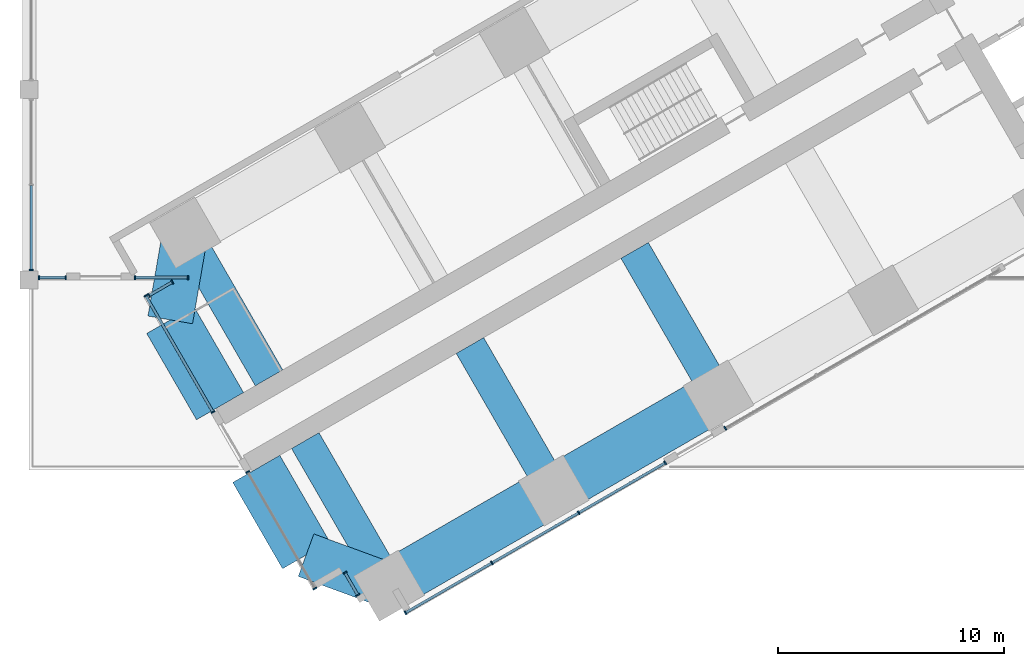
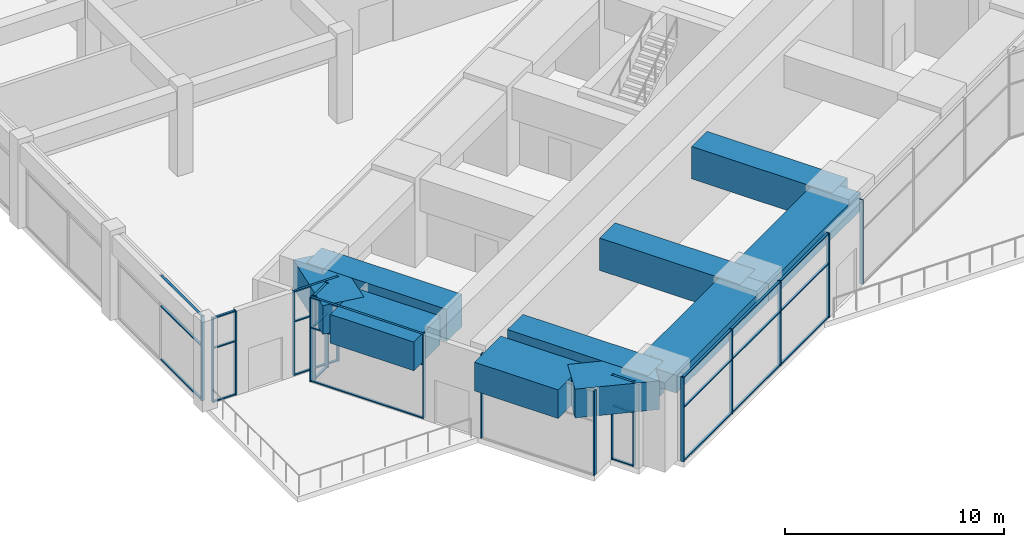
# One storey, part 2 of 34: 45 members, 10 beams, 9 elements without a shape of their own.
"""IFC4 building model written with IfcOpenShell, lengths in metres."""

from ifc_helpers import new_model, si_unit, direction, frame, origin, origin_2d, place, context, subcontext, project, spatial, rectangle, extrude, material, material_profile, profile_set, type_object, element, aggregate, save


model = new_model("IFC4")

# Units and contexts
model_context = context("Model", 3, precision=1e-05, world=origin(), true_north=direction((0.0, 1.0)))
body_context = subcontext(model_context, "Body", "Model", "MODEL_VIEW")
ifc_project = project(units=[si_unit("LENGTHUNIT", "METRE"), si_unit("AREAUNIT", "SQUARE_METRE"), si_unit("VOLUMEUNIT", "CUBIC_METRE"), si_unit("PLANEANGLEUNIT", "RADIAN"), si_unit("MASSUNIT", "GRAM", prefix="KILO")], contexts=[model_context])

# Site, building, storey
site_placement = place(None, origin())
site = spatial("IfcSite", under=ifc_project, at=site_placement, CompositionType="ELEMENT")
building_placement = place(site_placement, origin())
building = spatial("IfcBuilding", under=site, at=building_placement, Name="Impinga Residences", CompositionType="ELEMENT")
storey_placement = place(building_placement, frame((0.0, 0.0, 16.0)))
storey = spatial("IfcBuildingStorey", under=building, at=storey_placement, Name="L03", CompositionType="ELEMENT", Elevation=16.0)

# Beams
ifc_material_1 = material(Name="Concrete C60/75", Category="concrete")
ifc_material_profile_1 = material_profile(ifc_material_1, rectangle(XDim=2.0, YDim=1.60009765625, at=origin_2d()), Name="RC 2000x1600")
ifc_profile_set_1 = profile_set([ifc_material_profile_1], Name="Concrete C60/75")
beam_type_1 = type_object("IfcBeamType", Name="CB2 2000x1600 wing end cantilever beam", PredefinedType="BEAM", material=ifc_profile_set_1)
beam_1_placement = place(storey_placement, frame((-34.49853515625, -30.31005859375, 3.89990234375), z_axis=(-0.938520178725, 0.345224382289, 0.0), x_axis=(-0.345224382289, -0.938520178725, 0.0)))
element("IfcBeam", 1, at=beam_1_placement, inside=storey, type_object=beam_type_1, Name="Beam CB2 WB W5-WX level L04", PredefinedType="BEAM", context=body_context, shape_type="SweptSolid", body=[
    extrude(rectangle(XDim=2.0, YDim=1.60009765625, at=origin_2d()), origin(), (0.0, 0.0, 1.0), 3.905029296875),
])
beam_2_placement = place(storey_placement, frame((-43.49853515625, -14.721435546875, 3.89990234375), z_axis=(-0.170296298948, -0.985392901621, 0.0), x_axis=(0.985392901621, -0.170296298948, 0.0)))
element("IfcBeam", 2, at=beam_2_placement, inside=storey, type_object=beam_type_1, Name="Beam CB2 WE W5-WX level L04", PredefinedType="BEAM", context=body_context, shape_type="SweptSolid", body=[
    extrude(rectangle(XDim=2.0, YDim=1.60009765625, at=origin_2d()), origin(), (0.0, 0.0, 1.0), 3.9052734375),
])
ifc_material_profile_2 = material_profile(ifc_material_1, rectangle(XDim=1.39990234375, YDim=1.800048828125, at=origin_2d()), Name="RC 1400x1800")
ifc_profile_set_2 = profile_set([ifc_material_profile_2], Name="Concrete C60/75")
beam_type_2 = type_object("IfcBeamType", Name="CG4 1400x1800 cross girder on a wing bay line under the podium floors", PredefinedType="BEAM", material=ifc_profile_set_2)
beam_3_placement = place(storey_placement, frame((-23.649169921875, -15.50146484375, 3.800048828125), z_axis=(0.500003285667, -0.866023506795, 0.0), x_axis=(0.866023506795, 0.500003285667, 0.0)))
element("IfcBeam", 3, at=beam_3_placement, inside=storey, type_object=beam_type_2, Name="Beam CG4 W3 WC/WA level L04", PredefinedType="BEAM", context=body_context, shape_type="SweptSolid", body=[
    extrude(rectangle(XDim=1.39990234375, YDim=1.800048828125, at=origin_2d()), origin(), (0.0, 0.0, 1.0), 7.39990234375),
])
for number, where, z_axis, x_axis, name in (
    (4, (-30.923828125, -19.701416015625, 3.800048828125), (0.499988999718, -0.866031754707, 0.0), (0.866031754707, 0.499988999718, 0.0), "Beam CG4 W4 WC/WA level L04"),
    (5, (-38.198486328125, -23.9013671875, 3.800048828125), (0.499988999718, -0.866031754707, 0.0), (0.866031754707, 0.499988999718, 0.0), "Beam CG4 W5 WC/WA level L04"),
    (6, (-39.79833984375, -21.130126953125, 3.800048828125), (-0.500013743233, 0.86601746898, 0.0), (-0.86601746898, -0.500013743233, 0.0), "Beam CG4 W5 WC/WF level L04"),
):
    element("IfcBeam", number, at=place(storey_placement, frame(where, z_axis=z_axis, x_axis=x_axis)), inside=storey, type_object=beam_type_2, Name=name, PredefinedType="BEAM", context=body_context, shape_type="SweptSolid", body=[
        extrude(rectangle(XDim=1.39990234375, YDim=1.800048828125, at=origin_2d()), origin(), (0.0, 0.0, 1.0), 7.400146484375),
    ])

# Curtain wall, members
ifc_material_2 = material(Name="Aluminium stick curtain wall", Category="aluminium")
curtain_wall_type = type_object("IfcCurtainWallType", Name="CW1 podium amenity curtain wall", PredefinedType="USERDEFINED", material=ifc_material_2)
curtain_wall_1_placement = place(storey_placement, origin())
curtain_wall_1 = element("IfcCurtainWall", 7, at=curtain_wall_1_placement, inside=storey, type_object=curtain_wall_type, Name="Curtain wall CW1 L03", ObjectType="STICK CURTAIN WALL", PredefinedType="USERDEFINED")
ifc_material_3 = material(Name="Aluminium mullion", Category="aluminium")
ifc_material_profile_3 = material_profile(ifc_material_3, rectangle(XDim=0.06005859375, YDim=0.179931640625, at=origin_2d()), Name="60x180 mullion")
ifc_profile_set_3 = profile_set([ifc_material_profile_3], Name="Aluminium mullion")
member_type_1 = type_object("IfcMemberType", Name="CW1-M mullion 60x180", PredefinedType="MULLION", material=ifc_profile_set_3)
member_1_placement = place(storey_placement, frame((-35.8759765625, -30.72412109375, 0.0), z_axis=(0.0, 0.0, 1.0), x_axis=(-0.499999813995, 0.866025511175, 0.0)))
member_1 = element("IfcMember", 8, at=member_1_placement, type_object=member_type_1, Name="CW1 mullion 1", PredefinedType="MULLION", context=body_context, shape_type="SweptSolid", body=[
    extrude(rectangle(XDim=0.06005859375, YDim=0.179931640625, at=origin_2d()), origin(), (0.0, 0.0, 1.0), 4.699951171875),
])
member_2_placement = place(storey_placement, frame((-36.44580078125, -29.737060546875, 0.0), z_axis=(0.0, 0.0, 1.0), x_axis=(-0.499999813995, 0.866025511175, 0.0)))
member_2 = element("IfcMember", 9, at=member_2_placement, type_object=member_type_1, Name="CW1 mullion 2", PredefinedType="MULLION", context=body_context, shape_type="SweptSolid", body=[
    extrude(rectangle(XDim=0.06005859375, YDim=0.179931640625, at=origin_2d()), origin(), (0.0, 0.0, 1.0), 4.699951171875),
])

curtain_wall_2_placement = place(storey_placement, origin())
curtain_wall_2 = element("IfcCurtainWall", 10, at=curtain_wall_2_placement, inside=storey, type_object=curtain_wall_type, Name="Curtain wall CW1 L03", ObjectType="STICK CURTAIN WALL", PredefinedType="USERDEFINED")
member_3_placement = place(storey_placement, frame((-37.77490234375, -30.43505859375, 0.0), z_axis=(0.0, 0.0, 1.0), x_axis=(-0.500000030502, 0.866025386174, 0.0)))
member_3 = element("IfcMember", 11, at=member_3_placement, type_object=member_type_1, Name="CW1 mullion 1", PredefinedType="MULLION", context=body_context, shape_type="SweptSolid", body=[
    extrude(rectangle(XDim=0.06005859375, YDim=0.179931640625, at=origin_2d()), origin(), (0.0, 0.0, 1.0), 4.699951171875),
])
member_4_placement = place(storey_placement, frame((-40.744873046875, -25.290771484375, 0.0), z_axis=(0.0, 0.0, 1.0), x_axis=(-0.500000030502, 0.866025386174, 0.0)))
member_4 = element("IfcMember", 12, at=member_4_placement, type_object=member_type_1, Name="CW1 mullion 2", PredefinedType="MULLION", context=body_context, shape_type="SweptSolid", body=[
    extrude(rectangle(XDim=0.06005859375, YDim=0.179931640625, at=origin_2d()), origin(), (0.0, 0.0, 1.0), 4.699951171875),
])
aggregate(curtain_wall_2, [member_3, member_4])

curtain_wall_3_placement = place(storey_placement, origin())
curtain_wall_3 = element("IfcCurtainWall", 13, at=curtain_wall_3_placement, inside=storey, type_object=curtain_wall_type, Name="Curtain wall CW1 L03", ObjectType="STICK CURTAIN WALL", PredefinedType="USERDEFINED")
member_5_placement = place(storey_placement, frame((-42.27490234375, -22.640869140625, 0.0), z_axis=(0.0, 0.0, 1.0), x_axis=(-0.500000030502, 0.866025386174, 0.0)))
member_5 = element("IfcMember", 14, at=member_5_placement, type_object=member_type_1, Name="CW1 mullion 1", PredefinedType="MULLION", context=body_context, shape_type="SweptSolid", body=[
    extrude(rectangle(XDim=0.06005859375, YDim=0.179931640625, at=origin_2d()), origin(), (0.0, 0.0, 1.0), 4.699951171875),
])
member_6_placement = place(storey_placement, frame((-45.244873046875, -17.49658203125, 0.0), z_axis=(0.0, 0.0, 1.0), x_axis=(-0.500000030502, 0.866025386174, 0.0)))
member_6 = element("IfcMember", 15, at=member_6_placement, type_object=member_type_1, Name="CW1 mullion 2", PredefinedType="MULLION", context=body_context, shape_type="SweptSolid", body=[
    extrude(rectangle(XDim=0.06005859375, YDim=0.179931640625, at=origin_2d()), origin(), (0.0, 0.0, 1.0), 4.699951171875),
])

curtain_wall_4_placement = place(storey_placement, origin())
curtain_wall_4 = element("IfcCurtainWall", 16, at=curtain_wall_4_placement, inside=storey, type_object=curtain_wall_type, Name="Curtain wall CW1 L03", ObjectType="STICK CURTAIN WALL", PredefinedType="USERDEFINED")
member_7_placement = place(storey_placement, frame((-45.097412109375, -17.4921875, 0.0), z_axis=(0.0, 0.0, 1.0), x_axis=(0.86602522371, 0.500000311898, 0.0)))
member_7 = element("IfcMember", 17, at=member_7_placement, type_object=member_type_1, Name="CW1 mullion 1", PredefinedType="MULLION", context=body_context, shape_type="SweptSolid", body=[
    extrude(rectangle(XDim=0.06005859375, YDim=0.179931640625, at=origin_2d()), origin(), (0.0, 0.0, 1.0), 4.699951171875),
])
member_8_placement = place(storey_placement, frame((-44.074462890625, -16.901611328125, 0.0), z_axis=(0.0, 0.0, 1.0), x_axis=(0.86602522371, 0.500000311898, 0.0)))
member_8 = element("IfcMember", 18, at=member_8_placement, type_object=member_type_1, Name="CW1 mullion 2", PredefinedType="MULLION", context=body_context, shape_type="SweptSolid", body=[
    extrude(rectangle(XDim=0.06005859375, YDim=0.179931640625, at=origin_2d()), origin(), (0.0, 0.0, 1.0), 4.699951171875),
])

curtain_wall_5_placement = place(storey_placement, origin())
curtain_wall_5 = element("IfcCurtainWall", 19, at=curtain_wall_5_placement, inside=storey, type_object=curtain_wall_type, Name="Curtain wall CW1 L03", ObjectType="STICK CURTAIN WALL", PredefinedType="USERDEFINED")
member_9_placement = place(storey_placement, frame((-43.382080078125, -16.699951171875, 0.0), z_axis=(0.0, 0.0, 1.0), x_axis=(-1.0, 0.0, 0.0)))
member_9 = element("IfcMember", 20, at=member_9_placement, type_object=member_type_1, Name="CW1 mullion 1", PredefinedType="MULLION", context=body_context, shape_type="SweptSolid", body=[
    extrude(rectangle(XDim=0.06005859375, YDim=0.179931640625, at=origin_2d()), origin(), (0.0, 0.0, 1.0), 4.699951171875),
])
member_10_placement = place(storey_placement, frame((-45.71923828125, -16.699951171875, 0.0), z_axis=(0.0, 0.0, 1.0), x_axis=(-1.0, 0.0, 0.0)))
member_10 = element("IfcMember", 21, at=member_10_placement, type_object=member_type_1, Name="CW1 mullion 2", PredefinedType="MULLION", context=body_context, shape_type="SweptSolid", body=[
    extrude(rectangle(XDim=0.06005859375, YDim=0.179931640625, at=origin_2d()), origin(), (0.0, 0.0, 1.0), 4.699951171875),
])

curtain_wall_6_placement = place(storey_placement, origin())
curtain_wall_6 = element("IfcCurtainWall", 22, at=curtain_wall_6_placement, inside=storey, type_object=curtain_wall_type, Name="Curtain wall CW1 L03", ObjectType="STICK CURTAIN WALL", PredefinedType="USERDEFINED")
member_11_placement = place(storey_placement, frame((-48.779296875, -16.699951171875, 0.0), z_axis=(0.0, 0.0, 1.0), x_axis=(-1.0, 0.0, 0.0)))
member_11 = element("IfcMember", 23, at=member_11_placement, type_object=member_type_1, Name="CW1 mullion 1", PredefinedType="MULLION", context=body_context, shape_type="SweptSolid", body=[
    extrude(rectangle(XDim=0.06005859375, YDim=0.179931640625, at=origin_2d()), origin(), (0.0, 0.0, 1.0), 4.699951171875),
])
member_12_placement = place(storey_placement, frame((-49.967041015625, -16.699951171875, 0.0), z_axis=(0.0, 0.0, 1.0), x_axis=(-1.0, 0.0, 0.0)))
member_12 = element("IfcMember", 24, at=member_12_placement, type_object=member_type_1, Name="CW1 mullion 2", PredefinedType="MULLION", context=body_context, shape_type="SweptSolid", body=[
    extrude(rectangle(XDim=0.06005859375, YDim=0.179931640625, at=origin_2d()), origin(), (0.0, 0.0, 1.0), 4.699951171875),
])

# Curtain wall, member
curtain_wall_7_placement = place(storey_placement, origin())
curtain_wall_7 = element("IfcCurtainWall", 25, at=curtain_wall_7_placement, inside=storey, type_object=curtain_wall_type, Name="Curtain wall CW1 L03", ObjectType="STICK CURTAIN WALL", PredefinedType="USERDEFINED")
member_13_placement = place(storey_placement, frame((-50.300048828125, -16.366943359375, 0.0), z_axis=(0.0, 0.0, 1.0), x_axis=(0.0, 1.0, 0.0)))
member_13 = element("IfcMember", 26, at=member_13_placement, type_object=member_type_1, Name="CW1 mullion 1", PredefinedType="MULLION", context=body_context, shape_type="SweptSolid", body=[
    extrude(rectangle(XDim=0.06005859375, YDim=0.179931640625, at=origin_2d()), origin(), (0.0, 0.0, 1.0), 4.699951171875),
])

curtain_wall_8_placement = place(storey_placement, origin())
curtain_wall_8 = element("IfcCurtainWall", 27, at=curtain_wall_8_placement, inside=storey, type_object=curtain_wall_type, Name="Curtain wall CW1 L03", ObjectType="STICK CURTAIN WALL", PredefinedType="USERDEFINED")
member_14_placement = place(storey_placement, frame((-19.6484375, -23.35302734375, 0.0), z_axis=(0.0, 0.0, 1.0), x_axis=(-0.866025380702, -0.500000039979, 0.0)))
member_14 = element("IfcMember", 28, at=member_14_placement, type_object=member_type_1, Name="CW1 mullion 4", PredefinedType="MULLION", context=body_context, shape_type="SweptSolid", body=[
    extrude(rectangle(XDim=0.06005859375, YDim=0.179931640625, at=origin_2d()), origin(), (0.0, 0.0, 1.0), 4.699951171875),
])
aggregate(curtain_wall_8, [member_14])

# Curtain wall, members
curtain_wall_9_placement = place(storey_placement, origin())
curtain_wall_9 = element("IfcCurtainWall", 29, at=curtain_wall_9_placement, inside=storey, type_object=curtain_wall_type, Name="Curtain wall CW1 L03", ObjectType="STICK CURTAIN WALL", PredefinedType="USERDEFINED")
member_15_placement = place(storey_placement, frame((-22.298583984375, -24.8828125, 0.0), z_axis=(0.0, 0.0, 1.0), x_axis=(-0.866025412354, -0.499999985157, 0.0)))
member_15 = element("IfcMember", 30, at=member_15_placement, type_object=member_type_1, Name="CW1 mullion 1", PredefinedType="MULLION", context=body_context, shape_type="SweptSolid", body=[
    extrude(rectangle(XDim=0.06005859375, YDim=0.179931640625, at=origin_2d()), origin(), (0.0, 0.0, 1.0), 4.699951171875),
])
member_16_placement = place(storey_placement, frame((-26.114501953125, -27.086181640625, 0.0), z_axis=(0.0, 0.0, 1.0), x_axis=(-0.866025412354, -0.499999985157, 0.0)))
member_16 = element("IfcMember", 31, at=member_16_placement, type_object=member_type_1, Name="CW1 mullion 2", PredefinedType="MULLION", context=body_context, shape_type="SweptSolid", body=[
    extrude(rectangle(XDim=0.06005859375, YDim=0.179931640625, at=origin_2d()), origin(), (0.0, 0.0, 1.0), 4.699951171875),
])
member_17_placement = place(storey_placement, frame((-29.95654296875, -29.30419921875, 0.0), z_axis=(0.0, 0.0, 1.0), x_axis=(-0.866025412354, -0.499999985157, 0.0)))
member_17 = element("IfcMember", 32, at=member_17_placement, type_object=member_type_1, Name="CW1 mullion 3", PredefinedType="MULLION", context=body_context, shape_type="SweptSolid", body=[
    extrude(rectangle(XDim=0.06005859375, YDim=0.179931640625, at=origin_2d()), origin(), (0.0, 0.0, 1.0), 4.699951171875),
])
member_18_placement = place(storey_placement, frame((-33.7724609375, -31.50732421875, 0.0), z_axis=(0.0, 0.0, 1.0), x_axis=(-0.866025412354, -0.499999985157, 0.0)))
member_18 = element("IfcMember", 33, at=member_18_placement, type_object=member_type_1, Name="CW1 mullion 4", PredefinedType="MULLION", context=body_context, shape_type="SweptSolid", body=[
    extrude(rectangle(XDim=0.06005859375, YDim=0.179931640625, at=origin_2d()), origin(), (0.0, 0.0, 1.0), 4.699951171875),
])

# Member
ifc_material_4 = material(Name="Aluminium transom", Category="aluminium")
ifc_material_profile_4 = material_profile(ifc_material_4, rectangle(XDim=0.06005859375, YDim=0.1201171875, at=origin_2d()), Name="60x120 transom")
ifc_profile_set_4 = profile_set([ifc_material_profile_4], Name="Aluminium transom")
member_type_2 = type_object("IfcMemberType", Name="CW1-T transom 60x120", PredefinedType="USERDEFINED", material=ifc_profile_set_4)
member_19_placement = place(storey_placement, frame((-35.890869140625, -30.6982421875, 0.030029296875), z_axis=(-0.500029011134, 0.866008653551, 0.0), x_axis=(0.0, 0.0, 1.0)))
member_19 = element("IfcMember", 34, at=member_19_placement, type_object=member_type_2, Name="CW1 transom 1.1", ObjectType="TRANSOM", PredefinedType="USERDEFINED", context=body_context, shape_type="SweptSolid", body=[
    extrude(rectangle(XDim=0.06005859375, YDim=0.1201171875, at=origin_2d()), origin(), (0.0, 0.0, 1.0), 1.080078125),
])

member_20_placement = place(storey_placement, frame((-35.890869140625, -30.6982421875, 3.0), z_axis=(-0.500029011134, 0.866008653551, 0.0), x_axis=(0.0, 0.0, 1.0)))
member_20 = element("IfcMember", 35, at=member_20_placement, type_object=member_type_2, Name="CW1 transom 1.2", ObjectType="TRANSOM", PredefinedType="USERDEFINED", context=body_context, shape_type="SweptSolid", body=[
    extrude(rectangle(XDim=0.06005859375, YDim=0.1201171875, at=origin_2d()), origin(), (0.0, 0.0, 1.0), 1.080078125),
])

member_21_placement = place(storey_placement, frame((-35.890869140625, -30.6982421875, 4.669921875), z_axis=(-0.500029011134, 0.866008653551, 0.0), x_axis=(0.0, 0.0, 1.0)))
member_21 = element("IfcMember", 36, at=member_21_placement, type_object=member_type_2, Name="CW1 transom 1.3", ObjectType="TRANSOM", PredefinedType="USERDEFINED", context=body_context, shape_type="SweptSolid", body=[
    extrude(rectangle(XDim=0.06005859375, YDim=0.1201171875, at=origin_2d()), origin(), (0.0, 0.0, 1.0), 1.080078125),
])

aggregate(curtain_wall_1, [member_1, member_2, member_19, member_20, member_21])

member_22_placement = place(storey_placement, frame((-42.2900390625, -22.61474609375, 0.030029296875), z_axis=(-0.499988418424, 0.866032090307, 0.0), x_axis=(0.0, 0.0, 1.0)))
member_22 = element("IfcMember", 37, at=member_22_placement, type_object=member_type_2, Name="CW1 transom 1.1", ObjectType="TRANSOM", PredefinedType="USERDEFINED", context=body_context, shape_type="SweptSolid", body=[
    extrude(rectangle(XDim=0.06005859375, YDim=0.1201171875, at=origin_2d()), origin(), (0.0, 0.0, 1.0), 5.880126953125),
])

member_23_placement = place(storey_placement, frame((-42.2900390625, -22.61474609375, 3.0), z_axis=(-0.499988418424, 0.866032090307, 0.0), x_axis=(0.0, 0.0, 1.0)))
member_23 = element("IfcMember", 38, at=member_23_placement, type_object=member_type_2, Name="CW1 transom 1.2", ObjectType="TRANSOM", PredefinedType="USERDEFINED", context=body_context, shape_type="SweptSolid", body=[
    extrude(rectangle(XDim=0.06005859375, YDim=0.1201171875, at=origin_2d()), origin(), (0.0, 0.0, 1.0), 5.880126953125),
])

member_24_placement = place(storey_placement, frame((-42.2900390625, -22.61474609375, 4.669921875), z_axis=(-0.499988418424, 0.866032090307, 0.0), x_axis=(0.0, 0.0, 1.0)))
member_24 = element("IfcMember", 39, at=member_24_placement, type_object=member_type_2, Name="CW1 transom 1.3", ObjectType="TRANSOM", PredefinedType="USERDEFINED", context=body_context, shape_type="SweptSolid", body=[
    extrude(rectangle(XDim=0.06005859375, YDim=0.1201171875, at=origin_2d()), origin(), (0.0, 0.0, 1.0), 5.880126953125),
])

aggregate(curtain_wall_3, [member_5, member_6, member_22, member_23, member_24])

member_25_placement = place(storey_placement, frame((-45.0712890625, -17.477294921875, 0.030029296875), z_axis=(0.865942613235, 0.500143370028, 0.0), x_axis=(0.0, 0.0, 1.0)))
member_25 = element("IfcMember", 40, at=member_25_placement, type_object=member_type_2, Name="CW1 transom 1.1", ObjectType="TRANSOM", PredefinedType="USERDEFINED", context=body_context, shape_type="SweptSolid", body=[
    extrude(rectangle(XDim=0.06005859375, YDim=0.1201171875, at=origin_2d()), origin(), (0.0, 0.0, 1.0), 1.121337890625),
])

member_26_placement = place(storey_placement, frame((-45.0712890625, -17.477294921875, 3.0), z_axis=(0.865942613235, 0.500143370028, 0.0), x_axis=(0.0, 0.0, 1.0)))
member_26 = element("IfcMember", 41, at=member_26_placement, type_object=member_type_2, Name="CW1 transom 1.2", ObjectType="TRANSOM", PredefinedType="USERDEFINED", context=body_context, shape_type="SweptSolid", body=[
    extrude(rectangle(XDim=0.06005859375, YDim=0.1201171875, at=origin_2d()), origin(), (0.0, 0.0, 1.0), 1.121337890625),
])

member_27_placement = place(storey_placement, frame((-45.0712890625, -17.477294921875, 4.669921875), z_axis=(0.865942613235, 0.500143370028, 0.0), x_axis=(0.0, 0.0, 1.0)))
member_27 = element("IfcMember", 42, at=member_27_placement, type_object=member_type_2, Name="CW1 transom 1.3", ObjectType="TRANSOM", PredefinedType="USERDEFINED", context=body_context, shape_type="SweptSolid", body=[
    extrude(rectangle(XDim=0.06005859375, YDim=0.1201171875, at=origin_2d()), origin(), (0.0, 0.0, 1.0), 1.121337890625),
])

aggregate(curtain_wall_4, [member_7, member_8, member_25, member_26, member_27])

member_28_placement = place(storey_placement, frame((-43.412109375, -16.699951171875, 0.030029296875), z_axis=(-1.0, 0.0, 0.0), x_axis=(0.0, 0.0, 1.0)))
member_28 = element("IfcMember", 43, at=member_28_placement, type_object=member_type_2, Name="CW1 transom 1.1", ObjectType="TRANSOM", PredefinedType="USERDEFINED", context=body_context, shape_type="SweptSolid", body=[
    extrude(rectangle(XDim=0.06005859375, YDim=0.1201171875, at=origin_2d()), origin(), (0.0, 0.0, 1.0), 2.277099609375),
])

member_29_placement = place(storey_placement, frame((-43.412109375, -16.699951171875, 3.0), z_axis=(-1.0, 0.0, 0.0), x_axis=(0.0, 0.0, 1.0)))
member_29 = element("IfcMember", 44, at=member_29_placement, type_object=member_type_2, Name="CW1 transom 1.2", ObjectType="TRANSOM", PredefinedType="USERDEFINED", context=body_context, shape_type="SweptSolid", body=[
    extrude(rectangle(XDim=0.06005859375, YDim=0.1201171875, at=origin_2d()), origin(), (0.0, 0.0, 1.0), 2.277099609375),
])

member_30_placement = place(storey_placement, frame((-43.412109375, -16.699951171875, 4.669921875), z_axis=(-1.0, 0.0, 0.0), x_axis=(0.0, 0.0, 1.0)))
member_30 = element("IfcMember", 45, at=member_30_placement, type_object=member_type_2, Name="CW1 transom 1.3", ObjectType="TRANSOM", PredefinedType="USERDEFINED", context=body_context, shape_type="SweptSolid", body=[
    extrude(rectangle(XDim=0.06005859375, YDim=0.1201171875, at=origin_2d()), origin(), (0.0, 0.0, 1.0), 2.277099609375),
])

aggregate(curtain_wall_5, [member_9, member_10, member_28, member_29, member_30])

member_31_placement = place(storey_placement, frame((-48.809326171875, -16.699951171875, 0.030029296875), z_axis=(-1.0, 0.0, 0.0), x_axis=(0.0, 0.0, 1.0)))
member_31 = element("IfcMember", 46, at=member_31_placement, type_object=member_type_2, Name="CW1 transom 1.1", ObjectType="TRANSOM", PredefinedType="USERDEFINED", context=body_context, shape_type="SweptSolid", body=[
    extrude(rectangle(XDim=0.06005859375, YDim=0.1201171875, at=origin_2d()), origin(), (0.0, 0.0, 1.0), 1.127685546875),
])

member_32_placement = place(storey_placement, frame((-48.809326171875, -16.699951171875, 3.0), z_axis=(-1.0, 0.0, 0.0), x_axis=(0.0, 0.0, 1.0)))
member_32 = element("IfcMember", 47, at=member_32_placement, type_object=member_type_2, Name="CW1 transom 1.2", ObjectType="TRANSOM", PredefinedType="USERDEFINED", context=body_context, shape_type="SweptSolid", body=[
    extrude(rectangle(XDim=0.06005859375, YDim=0.1201171875, at=origin_2d()), origin(), (0.0, 0.0, 1.0), 1.127685546875),
])

member_33_placement = place(storey_placement, frame((-48.809326171875, -16.699951171875, 4.669921875), z_axis=(-1.0, 0.0, 0.0), x_axis=(0.0, 0.0, 1.0)))
member_33 = element("IfcMember", 48, at=member_33_placement, type_object=member_type_2, Name="CW1 transom 1.3", ObjectType="TRANSOM", PredefinedType="USERDEFINED", context=body_context, shape_type="SweptSolid", body=[
    extrude(rectangle(XDim=0.06005859375, YDim=0.1201171875, at=origin_2d()), origin(), (0.0, 0.0, 1.0), 1.127685546875),
])

aggregate(curtain_wall_6, [member_11, member_12, member_31, member_32, member_33])

member_34_placement = place(storey_placement, frame((-50.300048828125, -16.3369140625, 0.030029296875), z_axis=(0.0, 1.0, 0.0), x_axis=(0.0, 0.0, 1.0)))
member_34 = element("IfcMember", 49, at=member_34_placement, type_object=member_type_2, Name="CW1 transom 1.1", ObjectType="TRANSOM", PredefinedType="USERDEFINED", context=body_context, shape_type="SweptSolid", body=[
    extrude(rectangle(XDim=0.06005859375, YDim=0.1201171875, at=origin_2d()), origin(), (0.0, 0.0, 1.0), 3.70703125),
])

member_35_placement = place(storey_placement, frame((-50.300048828125, -16.3369140625, 3.0), z_axis=(0.0, 1.0, 0.0), x_axis=(0.0, 0.0, 1.0)))
member_35 = element("IfcMember", 50, at=member_35_placement, type_object=member_type_2, Name="CW1 transom 1.2", ObjectType="TRANSOM", PredefinedType="USERDEFINED", context=body_context, shape_type="SweptSolid", body=[
    extrude(rectangle(XDim=0.06005859375, YDim=0.1201171875, at=origin_2d()), origin(), (0.0, 0.0, 1.0), 3.70703125),
])

member_36_placement = place(storey_placement, frame((-50.300048828125, -16.3369140625, 4.669921875), z_axis=(0.0, 1.0, 0.0), x_axis=(0.0, 0.0, 1.0)))
member_36 = element("IfcMember", 51, at=member_36_placement, type_object=member_type_2, Name="CW1 transom 1.3", ObjectType="TRANSOM", PredefinedType="USERDEFINED", context=body_context, shape_type="SweptSolid", body=[
    extrude(rectangle(XDim=0.06005859375, YDim=0.1201171875, at=origin_2d()), origin(), (0.0, 0.0, 1.0), 3.70703125),
])

aggregate(curtain_wall_7, [member_13, member_34, member_35, member_36])

member_37_placement = place(storey_placement, frame((-22.324462890625, -24.89794921875, 0.030029296875), z_axis=(-0.866025625133, -0.499999616612, 0.0), x_axis=(0.0, 0.0, 1.0)))
member_37 = element("IfcMember", 52, at=member_37_placement, type_object=member_type_2, Name="CW1 transom 1.1", ObjectType="TRANSOM", PredefinedType="USERDEFINED", context=body_context, shape_type="SweptSolid", body=[
    extrude(rectangle(XDim=0.06005859375, YDim=0.1201171875, at=origin_2d()), origin(), (0.0, 0.0, 1.0), 4.34619140625),
])

member_38_placement = place(storey_placement, frame((-22.324462890625, -24.89794921875, 3.0), z_axis=(-0.866025625133, -0.499999616612, 0.0), x_axis=(0.0, 0.0, 1.0)))
member_38 = element("IfcMember", 53, at=member_38_placement, type_object=member_type_2, Name="CW1 transom 1.2", ObjectType="TRANSOM", PredefinedType="USERDEFINED", context=body_context, shape_type="SweptSolid", body=[
    extrude(rectangle(XDim=0.06005859375, YDim=0.1201171875, at=origin_2d()), origin(), (0.0, 0.0, 1.0), 4.34619140625),
])

member_39_placement = place(storey_placement, frame((-22.324462890625, -24.89794921875, 4.669921875), z_axis=(-0.866025625133, -0.499999616612, 0.0), x_axis=(0.0, 0.0, 1.0)))
member_39 = element("IfcMember", 54, at=member_39_placement, type_object=member_type_2, Name="CW1 transom 1.3", ObjectType="TRANSOM", PredefinedType="USERDEFINED", context=body_context, shape_type="SweptSolid", body=[
    extrude(rectangle(XDim=0.06005859375, YDim=0.1201171875, at=origin_2d()), origin(), (0.0, 0.0, 1.0), 4.34619140625),
])

member_40_placement = place(storey_placement, frame((-26.140380859375, -27.10107421875, 0.030029296875), z_axis=(-0.866020224182, -0.500008971228, 0.0), x_axis=(0.0, 0.0, 1.0)))
member_40 = element("IfcMember", 55, at=member_40_placement, type_object=member_type_2, Name="CW1 transom 2.1", ObjectType="TRANSOM", PredefinedType="USERDEFINED", context=body_context, shape_type="SweptSolid", body=[
    extrude(rectangle(XDim=0.06005859375, YDim=0.1201171875, at=origin_2d()), origin(), (0.0, 0.0, 1.0), 4.37646484375),
])

member_41_placement = place(storey_placement, frame((-26.140380859375, -27.10107421875, 3.0), z_axis=(-0.866020224182, -0.500008971228, 0.0), x_axis=(0.0, 0.0, 1.0)))
member_41 = element("IfcMember", 56, at=member_41_placement, type_object=member_type_2, Name="CW1 transom 2.2", ObjectType="TRANSOM", PredefinedType="USERDEFINED", context=body_context, shape_type="SweptSolid", body=[
    extrude(rectangle(XDim=0.06005859375, YDim=0.1201171875, at=origin_2d()), origin(), (0.0, 0.0, 1.0), 4.37646484375),
])

member_42_placement = place(storey_placement, frame((-26.140380859375, -27.10107421875, 4.669921875), z_axis=(-0.866020224182, -0.500008971228, 0.0), x_axis=(0.0, 0.0, 1.0)))
member_42 = element("IfcMember", 57, at=member_42_placement, type_object=member_type_2, Name="CW1 transom 2.3", ObjectType="TRANSOM", PredefinedType="USERDEFINED", context=body_context, shape_type="SweptSolid", body=[
    extrude(rectangle(XDim=0.06005859375, YDim=0.1201171875, at=origin_2d()), origin(), (0.0, 0.0, 1.0), 4.37646484375),
])

member_43_placement = place(storey_placement, frame((-29.982421875, -29.3193359375, 0.030029296875), z_axis=(-0.866039667442, -0.499975293806, 0.0), x_axis=(0.0, 0.0, 1.0)))
member_43 = element("IfcMember", 58, at=member_43_placement, type_object=member_type_2, Name="CW1 transom 3.1", ObjectType="TRANSOM", PredefinedType="USERDEFINED", context=body_context, shape_type="SweptSolid", body=[
    extrude(rectangle(XDim=0.06005859375, YDim=0.1201171875, at=origin_2d()), origin(), (0.0, 0.0, 1.0), 4.346435546875),
])

member_44_placement = place(storey_placement, frame((-29.982421875, -29.3193359375, 3.0), z_axis=(-0.866039667442, -0.499975293806, 0.0), x_axis=(0.0, 0.0, 1.0)))
member_44 = element("IfcMember", 59, at=member_44_placement, type_object=member_type_2, Name="CW1 transom 3.2", ObjectType="TRANSOM", PredefinedType="USERDEFINED", context=body_context, shape_type="SweptSolid", body=[
    extrude(rectangle(XDim=0.06005859375, YDim=0.1201171875, at=origin_2d()), origin(), (0.0, 0.0, 1.0), 4.346435546875),
])

member_45_placement = place(storey_placement, frame((-29.982421875, -29.3193359375, 4.669921875), z_axis=(-0.866039667442, -0.499975293806, 0.0), x_axis=(0.0, 0.0, 1.0)))
member_45 = element("IfcMember", 60, at=member_45_placement, type_object=member_type_2, Name="CW1 transom 3.3", ObjectType="TRANSOM", PredefinedType="USERDEFINED", context=body_context, shape_type="SweptSolid", body=[
    extrude(rectangle(XDim=0.06005859375, YDim=0.1201171875, at=origin_2d()), origin(), (0.0, 0.0, 1.0), 4.346435546875),
])

aggregate(curtain_wall_9, [member_15, member_16, member_17, member_18, member_37, member_38, member_39, member_40, member_41, member_42, member_43, member_44, member_45])

# Beams
ifc_material_profile_5 = material_profile(ifc_material_1, rectangle(XDim=2.39990234375, YDim=1.60009765625, at=origin_2d()), Name="RC 2400x1600")
ifc_profile_set_5 = profile_set([ifc_material_profile_5], Name="Concrete C60/75")
beam_type_3 = type_object("IfcBeamType", Name="EB2 2400x1600 wing end beam", PredefinedType="BEAM", material=ifc_profile_set_5)
for number, where, z_axis, x_axis, name in (
    (61, (-38.16357421875, -28.9619140625, 3.89990234375), (-0.499988222896, 0.866032203192, 0.0), (-0.866032203192, -0.499988222896, 0.0), "Beam EB2 WX4 level L04"),
    (62, (-41.963623046875, -22.380126953125, 3.89990234375), (-0.499988222896, 0.866032203192, 0.0), (-0.866032203192, -0.499988222896, 0.0), "Beam EB2 WX4 level L04"),
):
    element("IfcBeam", number, at=place(storey_placement, frame(where, z_axis=z_axis, x_axis=x_axis)), inside=storey, type_object=beam_type_3, Name=name, PredefinedType="BEAM", context=body_context, shape_type="SweptSolid", body=[
        extrude(rectangle(XDim=2.39990234375, YDim=1.60009765625, at=origin_2d()), origin(), (0.0, 0.0, 1.0), 4.39990234375),
    ])
ifc_material_profile_6 = material_profile(ifc_material_1, rectangle(XDim=2.199951171875, YDim=1.0, at=origin_2d()), Name="RC 2200x1000")
ifc_profile_set_6 = profile_set([ifc_material_profile_6], Name="Concrete C60/75")
beam_type_4 = type_object("IfcBeamType", Name="PB3 2200x1000 podium band beam", PredefinedType="BEAM", material=ifc_profile_set_6)
beam_4_placement = place(storey_placement, frame((-19.94921875, -21.909912109375, 4.199951171875), z_axis=(-0.866016669275, -0.500015128309, 0.0), x_axis=(0.500015128309, -0.866016669275, 0.0)))
element("IfcBeam", 63, at=beam_4_placement, inside=storey, type_object=beam_type_4, Name="Beam PB3 WA W3-W4 level L04", PredefinedType="BEAM", context=body_context, shape_type="SweptSolid", body=[
    extrude(rectangle(XDim=2.199951171875, YDim=1.0, at=origin_2d()), origin(), (0.0, 0.0, 1.0), 8.400146484375),
])
beam_5_placement = place(storey_placement, frame((-27.223876953125, -26.110107421875, 4.199951171875), z_axis=(-0.86602925447, -0.499993330357, 0.0), x_axis=(0.499993330357, -0.86602925447, 0.0)))
element("IfcBeam", 64, at=beam_5_placement, inside=storey, type_object=beam_type_4, Name="Beam PB3 WA W4-W5 level L04", PredefinedType="BEAM", context=body_context, shape_type="SweptSolid", body=[
    extrude(rectangle(XDim=2.199951171875, YDim=1.0, at=origin_2d()), origin(), (0.0, 0.0, 1.0), 8.39990234375),
])

save(model, "model.ifc")
